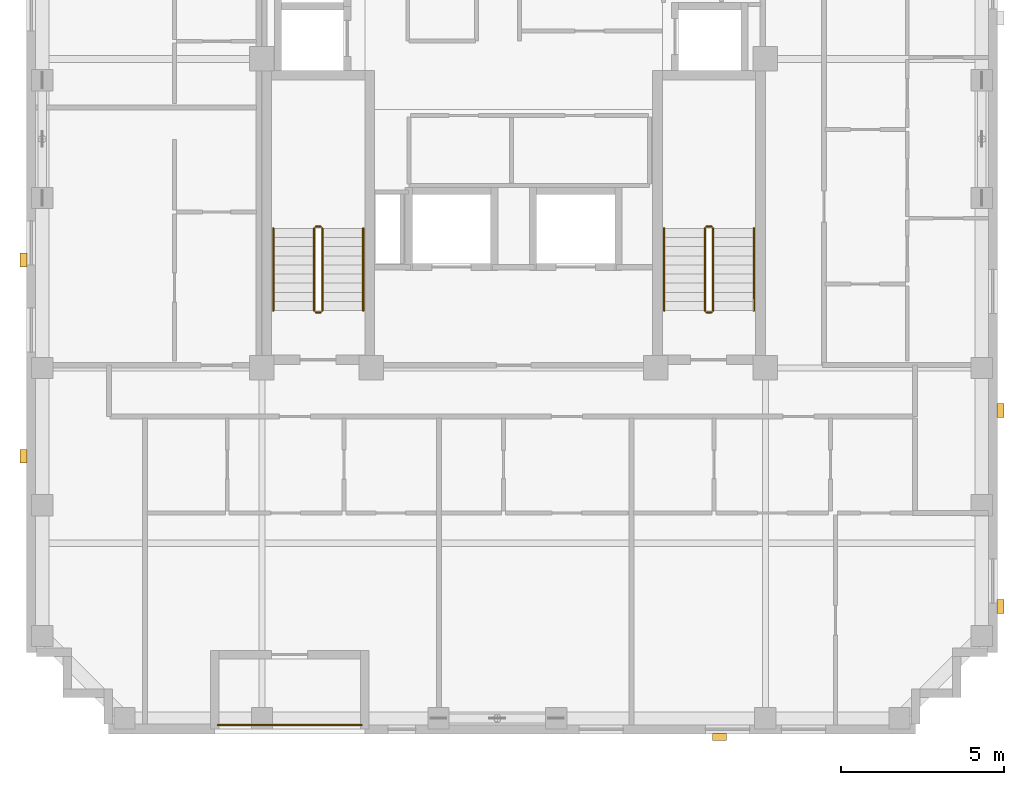
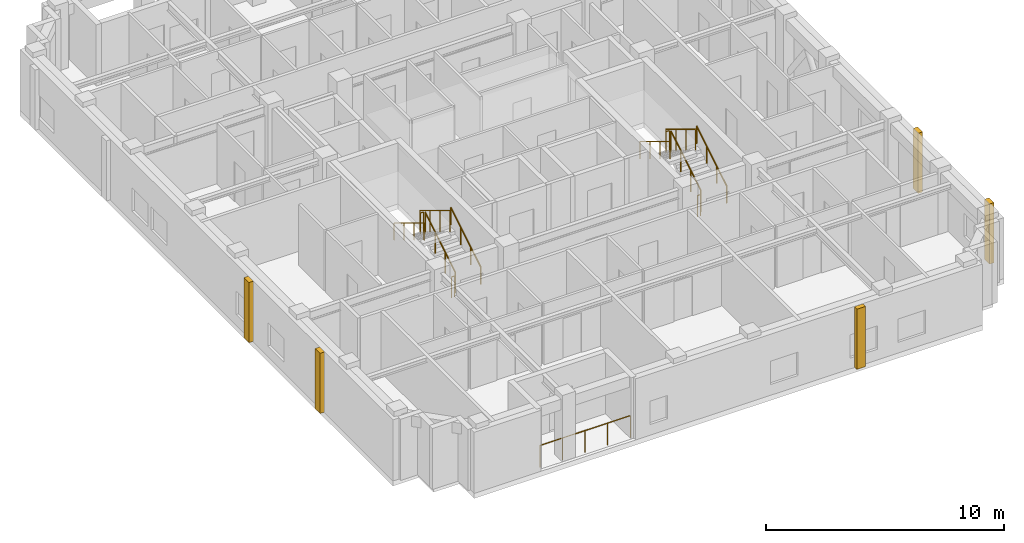
# One storey, part 10 of 11: 13 railings, 5 coverings.
"""IFC4 building model written with IfcOpenShell, lengths in metres."""

from ifc_helpers import new_model, si_unit, derived_unit, direction, frame, origin, origin_2d, place, context, subcontext, project, spatial, rectangle, circle, extrude, material, layer, layer_set, type_object, element, save


model = new_model("IFC4")

# Units and contexts
model_context = context("Model", 3, precision=1e-05, world=origin(), true_north=direction((0.0, 1.0)))
body_context = subcontext(model_context, "Body", "Model", "MODEL_VIEW")
ifc_project = project(units=[si_unit("LENGTHUNIT", "METRE"), si_unit("AREAUNIT", "SQUARE_METRE"), si_unit("VOLUMEUNIT", "CUBIC_METRE"), si_unit("PLANEANGLEUNIT", "RADIAN"), si_unit("MASSUNIT", "GRAM", prefix="KILO"), derived_unit("THERMALTRANSMITTANCEUNIT", [(si_unit("MASSUNIT", "GRAM", prefix="KILO"), 1), (si_unit("TIMEUNIT", "SECOND"), -3), (si_unit("THERMODYNAMICTEMPERATUREUNIT", "KELVIN"), -1)])], contexts=[model_context])

# Site, building, storey
site_placement = place(None, origin())
site = spatial("IfcSite", under=ifc_project, at=site_placement, CompositionType="ELEMENT")
building_placement = place(site_placement, origin())
building = spatial("IfcBuilding", under=site, at=building_placement, Name="Korrvale Station Residences", CompositionType="ELEMENT")
storey_placement = place(building_placement, frame((0.0, 0.0, 254.699951171875)))
storey = spatial("IfcBuildingStorey", under=building, at=storey_placement, Name="L74", CompositionType="ELEMENT", Elevation=254.699951171875)

# Coverings
ifc_material_1 = material(Name="Architectural precast concrete C45/55", Category="concrete")
ifc_layer = layer(ifc_material_1, 0.219970703125, Name="Architectural precast concrete C45/55")
ifc_layer_set = layer_set([ifc_layer], Name="Architectural precast concrete C45/55")
covering_type = type_object("IfcCoveringType", Name="COV-PIER-400", PredefinedType="CLADDING", material=ifc_layer_set)
for number, where, z_axis, x_axis, name in (
    (1, (31.800048828125, 3.7099609375, 0.02490234375), (0.0, 0.0, 1.0), (1.0, 0.0, 0.0), "L74 Architectural Precast Facade Pier 01"),
    (2, (10.510009765625, 12.300048828125, 0.02490234375), (0.0, 0.0, 1.0), (0.0, 1.0, 0.0), "L74 Architectural Precast Facade Pier 02"),
    (3, (10.510009765625, 18.300048828125, 0.02490234375), (0.0, 0.0, 1.0), (0.0, 1.0, 0.0), "L74 Architectural Precast Facade Pier 03"),
    (4, (40.389892578125, 13.699951171875, 0.02490234375), (0.0, 0.0, 1.0), (0.0, 1.0, 0.0), "L74 Architectural Precast Facade Pier 08"),
    (5, (40.389892578125, 7.699951171875, 0.02490234375), (0.0, 0.0, 1.0), (0.0, 1.0, 0.0), "L74 Architectural Precast Facade Pier 09"),
):
    element("IfcCovering", number, at=place(storey_placement, frame(where, z_axis=z_axis, x_axis=x_axis)), inside=storey, type_object=covering_type, Name=name, PredefinedType="CLADDING", context=body_context, shape_type="SweptSolid", body=[
        extrude(rectangle(XDim=0.419921875, YDim=0.219970703125, at=origin_2d()), origin(), (0.0, 0.0, 1.0), 3.090087890625),
    ])

# Railings
ifc_material_2 = material(Name="Powder-coated aluminium picket loggia guard", Category="aluminium")
railing_type_1 = type_object("IfcRailingType", Name="RLG-BAL-1150", PredefinedType="GUARDRAIL", material=ifc_material_2)
railing_1_placement = place(storey_placement, frame((16.449951171875, 4.070068359375, 0.0)))
element("IfcRailing", 6, at=railing_1_placement, inside=storey, type_object=railing_type_1, Name="L74 Recessed Loggia Guardrail BAL-L74-S1", PredefinedType="GUARDRAIL", context=body_context, shape_type="SweptSolid", body=[
    extrude(circle(Radius=0.02392578125, at=origin_2d()), frame((0.0, 0.0, 1.1259765625), z_axis=(1.0, 0.0, 0.0), x_axis=(0.0, 1.0, 0.0)), (0.0, 0.0, 1.0), 4.400146484375),
    extrude(circle(Radius=0.02099609375, at=origin_2d()), origin(), (0.0, 0.0, 1.0), 1.101806640625),
    extrude(circle(Radius=0.02099609375, at=origin_2d()), frame((1.10009765625, 0.0, 0.0)), (0.0, 0.0, 1.0), 1.101806640625),
    extrude(circle(Radius=0.02099609375, at=origin_2d()), frame((2.2001953125, 0.0, 0.0)), (0.0, 0.0, 1.0), 1.101806640625),
    extrude(circle(Radius=0.02099609375, at=origin_2d()), frame((3.300048828125, 0.0, 0.0)), (0.0, 0.0, 1.0), 1.101806640625),
    extrude(circle(Radius=0.02099609375, at=origin_2d()), frame((4.400146484375, 0.0, 0.0)), (0.0, 0.0, 1.0), 1.101806640625),
])
ifc_material_3 = material(Name="Brushed stainless-steel continuous stair handrail", Category="steel")
railing_type_2 = type_object("IfcRailingType", Name="RLG-SHND-900", PredefinedType="HANDRAIL", material=ifc_material_3)
railing_2_placement = place(storey_placement, frame((20.89990234375, 16.75, 0.170166015625)))
element("IfcRailing", 7, at=railing_2_placement, inside=storey, type_object=railing_type_2, Name="L74 ST-1 stair handrail 1", PredefinedType="HANDRAIL", context=body_context, shape_type="SweptSolid", body=[
    extrude(circle(Radius=0.02392578125, at=origin_2d()), frame((0.0, 0.0, 0.8759765625), z_axis=(0.0, 0.854821627497, 0.518921945155), x_axis=(-1.0, 0.0, 0.0)), (0.0, 0.0, 1.0), 2.947998046875),
    extrude(circle(Radius=0.02099609375, at=origin_2d()), origin(), (0.0, 0.0, 1.0), 0.851806640625),
    extrude(circle(Radius=0.02099609375, at=origin_2d()), frame((0.0, 0.840087890625, 0.510009765625)), (0.0, 0.0, 1.0), 0.851806640625),
    extrude(circle(Radius=0.02099609375, at=origin_2d()), frame((0.0, 1.679931640625, 1.019775390625)), (0.0, 0.0, 1.0), 0.851806640625),
    extrude(circle(Radius=0.02099609375, at=origin_2d()), frame((0.0, 2.52001953125, 1.52978515625)), (0.0, 0.0, 1.0), 0.851806640625),
])
railing_3_placement = place(storey_placement, frame((18.14990234375, 19.27001953125, 1.8701171875)))
element("IfcRailing", 8, at=railing_3_placement, inside=storey, type_object=railing_type_2, Name="L74 ST-1 stair handrail 2", PredefinedType="HANDRAIL", context=body_context, shape_type="SweptSolid", body=[
    extrude(circle(Radius=0.02392578125, at=origin_2d()), frame((0.0, 0.0, 0.8759765625), z_axis=(0.0, -0.85478489116, 0.518982456201), x_axis=(1.0, 0.0, 0.0)), (0.0, 0.0, 1.0), 2.9482421875),
    extrude(circle(Radius=0.02099609375, at=origin_2d()), origin(), (0.0, 0.0, 1.0), 0.851806640625),
    extrude(circle(Radius=0.02099609375, at=origin_2d()), frame((0.0, -0.840087890625, 0.510009765625)), (0.0, 0.0, 1.0), 0.851806640625),
    extrude(circle(Radius=0.02099609375, at=origin_2d()), frame((0.0, -1.679931640625, 1.02001953125)), (0.0, 0.0, 1.0), 0.851806640625),
    extrude(circle(Radius=0.02099609375, at=origin_2d()), frame((0.0, -2.52001953125, 1.530029296875)), (0.0, 0.0, 1.0), 0.851806640625),
])
railing_4_placement = place(storey_placement, frame((32.85009765625, 16.75, 0.170166015625)))
element("IfcRailing", 9, at=railing_4_placement, inside=storey, type_object=railing_type_2, Name="L74 ST-2 stair handrail 1", PredefinedType="HANDRAIL", context=body_context, shape_type="SweptSolid", body=[
    extrude(circle(Radius=0.02392578125, at=origin_2d()), frame((0.0, 0.0, 0.8759765625), z_axis=(0.0, 0.854821627497, 0.518921945155), x_axis=(-1.0, 0.0, 0.0)), (0.0, 0.0, 1.0), 2.947998046875),
    extrude(circle(Radius=0.02099609375, at=origin_2d()), origin(), (0.0, 0.0, 1.0), 0.851806640625),
    extrude(circle(Radius=0.02099609375, at=origin_2d()), frame((0.0, 0.840087890625, 0.510009765625)), (0.0, 0.0, 1.0), 0.851806640625),
    extrude(circle(Radius=0.02099609375, at=origin_2d()), frame((0.0, 1.679931640625, 1.019775390625)), (0.0, 0.0, 1.0), 0.851806640625),
    extrude(circle(Radius=0.02099609375, at=origin_2d()), frame((0.0, 2.52001953125, 1.52978515625)), (0.0, 0.0, 1.0), 0.851806640625),
])
railing_5_placement = place(storey_placement, frame((30.10009765625, 19.27001953125, 1.8701171875)))
element("IfcRailing", 10, at=railing_5_placement, inside=storey, type_object=railing_type_2, Name="L74 ST-2 stair handrail 2", PredefinedType="HANDRAIL", context=body_context, shape_type="SweptSolid", body=[
    extrude(circle(Radius=0.02392578125, at=origin_2d()), frame((0.0, 0.0, 0.8759765625), z_axis=(0.0, -0.85478489116, 0.518982456201), x_axis=(1.0, 0.0, 0.0)), (0.0, 0.0, 1.0), 2.9482421875),
    extrude(circle(Radius=0.02099609375, at=origin_2d()), origin(), (0.0, 0.0, 1.0), 0.851806640625),
    extrude(circle(Radius=0.02099609375, at=origin_2d()), frame((0.0, -0.840087890625, 0.510009765625)), (0.0, 0.0, 1.0), 0.851806640625),
    extrude(circle(Radius=0.02099609375, at=origin_2d()), frame((0.0, -1.679931640625, 1.02001953125)), (0.0, 0.0, 1.0), 0.851806640625),
    extrude(circle(Radius=0.02099609375, at=origin_2d()), frame((0.0, -2.52001953125, 1.530029296875)), (0.0, 0.0, 1.0), 0.851806640625),
])
ifc_material_4 = material(Name="Galvanised painted tubular steel stair guard", Category="steel")
railing_type_3 = type_object("IfcRailingType", Name="RLG-STR-1100", PredefinedType="GUARDRAIL", material=ifc_material_4)
railing_6_placement = place(storey_placement, frame((19.64990234375, 16.75, 0.170166015625)))
element("IfcRailing", 11, at=railing_6_placement, inside=storey, type_object=railing_type_3, Name="L74 ST-1 stair guard 1", PredefinedType="GUARDRAIL", context=body_context, shape_type="SweptSolid", body=[
    extrude(circle(Radius=0.02392578125, at=origin_2d()), frame((0.0, 0.0, 1.076171875), z_axis=(0.0, 0.854821627497, 0.518921945155), x_axis=(-1.0, 0.0, 0.0)), (0.0, 0.0, 1.0), 2.947998046875),
    extrude(circle(Radius=0.02099609375, at=origin_2d()), origin(), (0.0, 0.0, 1.0), 1.052001953125),
    extrude(circle(Radius=0.02099609375, at=origin_2d()), frame((0.0, 0.840087890625, 0.510009765625)), (0.0, 0.0, 1.0), 1.052001953125),
    extrude(circle(Radius=0.02099609375, at=origin_2d()), frame((0.0, 1.679931640625, 1.019775390625)), (0.0, 0.0, 1.0), 1.052001953125),
    extrude(circle(Radius=0.02099609375, at=origin_2d()), frame((0.0, 2.52001953125, 1.52978515625)), (0.0, 0.0, 1.0), 1.052001953125),
])
railing_7_placement = place(storey_placement, frame((19.60009765625, 19.320068359375, 1.699951171875)))
element("IfcRailing", 12, at=railing_7_placement, inside=storey, type_object=railing_type_3, Name="L74 ST-1 stair guard 2", PredefinedType="GUARDRAIL", context=body_context, shape_type="SweptSolid", body=[
    extrude(circle(Radius=0.02392578125, at=origin_2d()), frame((0.0, 0.0, 1.076171875), z_axis=(-1.0, 0.0, 0.0), x_axis=(0.0, -1.0, 0.0)), (0.0, 0.0, 1.0), 0.150146484375),
    extrude(circle(Radius=0.02099609375, at=origin_2d()), origin(), (0.0, 0.0, 1.0), 1.052001953125),
    extrude(circle(Radius=0.02099609375, at=origin_2d()), frame((-0.150146484375, 0.0, 0.0)), (0.0, 0.0, 1.0), 1.052001953125),
])
railing_8_placement = place(storey_placement, frame((19.39990234375, 19.27001953125, 1.8701171875)))
element("IfcRailing", 13, at=railing_8_placement, inside=storey, type_object=railing_type_3, Name="L74 ST-1 stair guard 3", PredefinedType="GUARDRAIL", context=body_context, shape_type="SweptSolid", body=[
    extrude(circle(Radius=0.02392578125, at=origin_2d()), frame((0.0, 0.0, 1.076171875), z_axis=(0.0, -0.85478489116, 0.518982456201), x_axis=(1.0, 0.0, 0.0)), (0.0, 0.0, 1.0), 2.9482421875),
    extrude(circle(Radius=0.02099609375, at=origin_2d()), origin(), (0.0, 0.0, 1.0), 1.052001953125),
    extrude(circle(Radius=0.02099609375, at=origin_2d()), frame((0.0, -0.840087890625, 0.510009765625)), (0.0, 0.0, 1.0), 1.052001953125),
    extrude(circle(Radius=0.02099609375, at=origin_2d()), frame((0.0, -1.679931640625, 1.02001953125)), (0.0, 0.0, 1.0), 1.052001953125),
    extrude(circle(Radius=0.02099609375, at=origin_2d()), frame((0.0, -2.52001953125, 1.530029296875)), (0.0, 0.0, 1.0), 1.052001953125),
])
railing_9_placement = place(storey_placement, frame((19.60009765625, 16.699951171875, 0.0)))
element("IfcRailing", 14, at=railing_9_placement, inside=storey, type_object=railing_type_3, Name="L74 ST-1 stair guard 4", PredefinedType="GUARDRAIL", context=body_context, shape_type="SweptSolid", body=[
    extrude(circle(Radius=0.02392578125, at=origin_2d()), frame((0.0, 0.0, 1.076171875), z_axis=(-1.0, 0.0, 0.0), x_axis=(0.0, -1.0, 0.0)), (0.0, 0.0, 1.0), 0.150146484375),
    extrude(circle(Radius=0.02099609375, at=origin_2d()), origin(), (0.0, 0.0, 1.0), 1.052001953125),
    extrude(circle(Radius=0.02099609375, at=origin_2d()), frame((-0.150146484375, 0.0, 0.0)), (0.0, 0.0, 1.0), 1.052001953125),
])
railing_10_placement = place(storey_placement, frame((31.60009765625, 16.75, 0.170166015625)))
element("IfcRailing", 15, at=railing_10_placement, inside=storey, type_object=railing_type_3, Name="L74 ST-2 stair guard 1", PredefinedType="GUARDRAIL", context=body_context, shape_type="SweptSolid", body=[
    extrude(circle(Radius=0.02392578125, at=origin_2d()), frame((0.0, 0.0, 1.076171875), z_axis=(0.0, 0.854821627497, 0.518921945155), x_axis=(-1.0, 0.0, 0.0)), (0.0, 0.0, 1.0), 2.947998046875),
    extrude(circle(Radius=0.02099609375, at=origin_2d()), origin(), (0.0, 0.0, 1.0), 1.052001953125),
    extrude(circle(Radius=0.02099609375, at=origin_2d()), frame((0.0, 0.840087890625, 0.510009765625)), (0.0, 0.0, 1.0), 1.052001953125),
    extrude(circle(Radius=0.02099609375, at=origin_2d()), frame((0.0, 1.679931640625, 1.019775390625)), (0.0, 0.0, 1.0), 1.052001953125),
    extrude(circle(Radius=0.02099609375, at=origin_2d()), frame((0.0, 2.52001953125, 1.52978515625)), (0.0, 0.0, 1.0), 1.052001953125),
])
railing_11_placement = place(storey_placement, frame((31.550048828125, 19.320068359375, 1.699951171875)))
element("IfcRailing", 16, at=railing_11_placement, inside=storey, type_object=railing_type_3, Name="L74 ST-2 stair guard 2", PredefinedType="GUARDRAIL", context=body_context, shape_type="SweptSolid", body=[
    extrude(circle(Radius=0.02392578125, at=origin_2d()), frame((0.0, 0.0, 1.076171875), z_axis=(-1.0, 0.0, 0.0), x_axis=(0.0, -1.0, 0.0)), (0.0, 0.0, 1.0), 0.150146484375),
    extrude(circle(Radius=0.02099609375, at=origin_2d()), origin(), (0.0, 0.0, 1.0), 1.052001953125),
    extrude(circle(Radius=0.02099609375, at=origin_2d()), frame((-0.150146484375, 0.0, 0.0)), (0.0, 0.0, 1.0), 1.052001953125),
])
railing_12_placement = place(storey_placement, frame((31.35009765625, 19.27001953125, 1.8701171875)))
element("IfcRailing", 17, at=railing_12_placement, inside=storey, type_object=railing_type_3, Name="L74 ST-2 stair guard 3", PredefinedType="GUARDRAIL", context=body_context, shape_type="SweptSolid", body=[
    extrude(circle(Radius=0.02392578125, at=origin_2d()), frame((0.0, 0.0, 1.076171875), z_axis=(0.0, -0.85478489116, 0.518982456201), x_axis=(1.0, 0.0, 0.0)), (0.0, 0.0, 1.0), 2.9482421875),
    extrude(circle(Radius=0.02099609375, at=origin_2d()), origin(), (0.0, 0.0, 1.0), 1.052001953125),
    extrude(circle(Radius=0.02099609375, at=origin_2d()), frame((0.0, -0.840087890625, 0.510009765625)), (0.0, 0.0, 1.0), 1.052001953125),
    extrude(circle(Radius=0.02099609375, at=origin_2d()), frame((0.0, -1.679931640625, 1.02001953125)), (0.0, 0.0, 1.0), 1.052001953125),
    extrude(circle(Radius=0.02099609375, at=origin_2d()), frame((0.0, -2.52001953125, 1.530029296875)), (0.0, 0.0, 1.0), 1.052001953125),
])
railing_13_placement = place(storey_placement, frame((31.550048828125, 16.699951171875, 0.0)))
element("IfcRailing", 18, at=railing_13_placement, inside=storey, type_object=railing_type_3, Name="L74 ST-2 stair guard 4", PredefinedType="GUARDRAIL", context=body_context, shape_type="SweptSolid", body=[
    extrude(circle(Radius=0.02392578125, at=origin_2d()), frame((0.0, 0.0, 1.076171875), z_axis=(-1.0, 0.0, 0.0), x_axis=(0.0, -1.0, 0.0)), (0.0, 0.0, 1.0), 0.150146484375),
    extrude(circle(Radius=0.02099609375, at=origin_2d()), origin(), (0.0, 0.0, 1.0), 1.052001953125),
    extrude(circle(Radius=0.02099609375, at=origin_2d()), frame((-0.150146484375, 0.0, 0.0)), (0.0, 0.0, 1.0), 1.052001953125),
])

save(model, "model.ifc")
